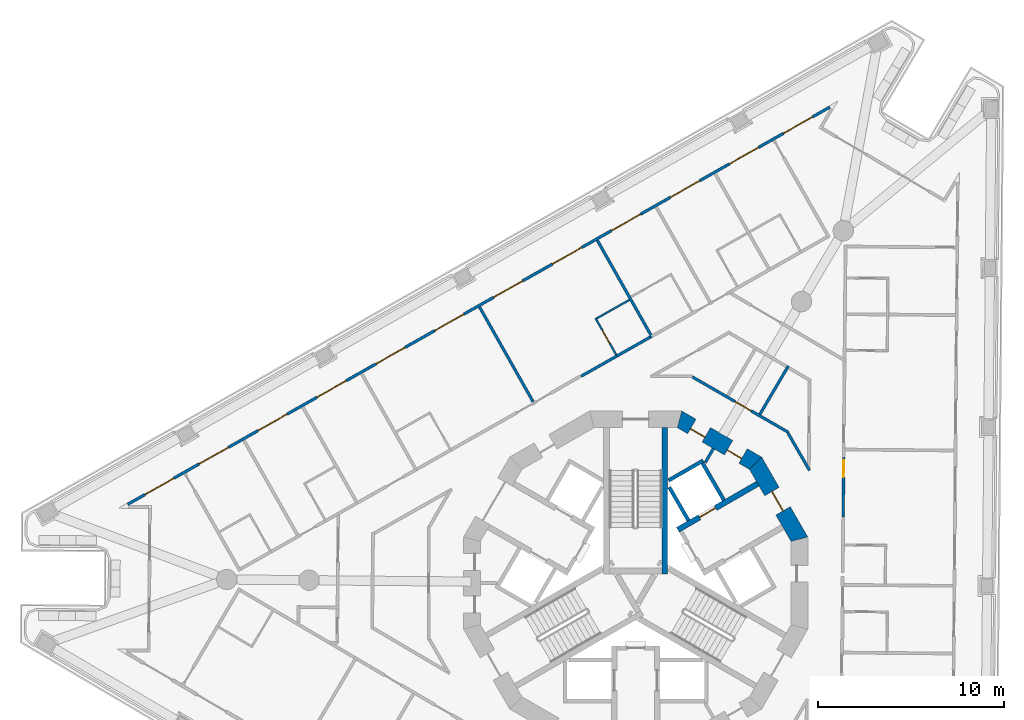
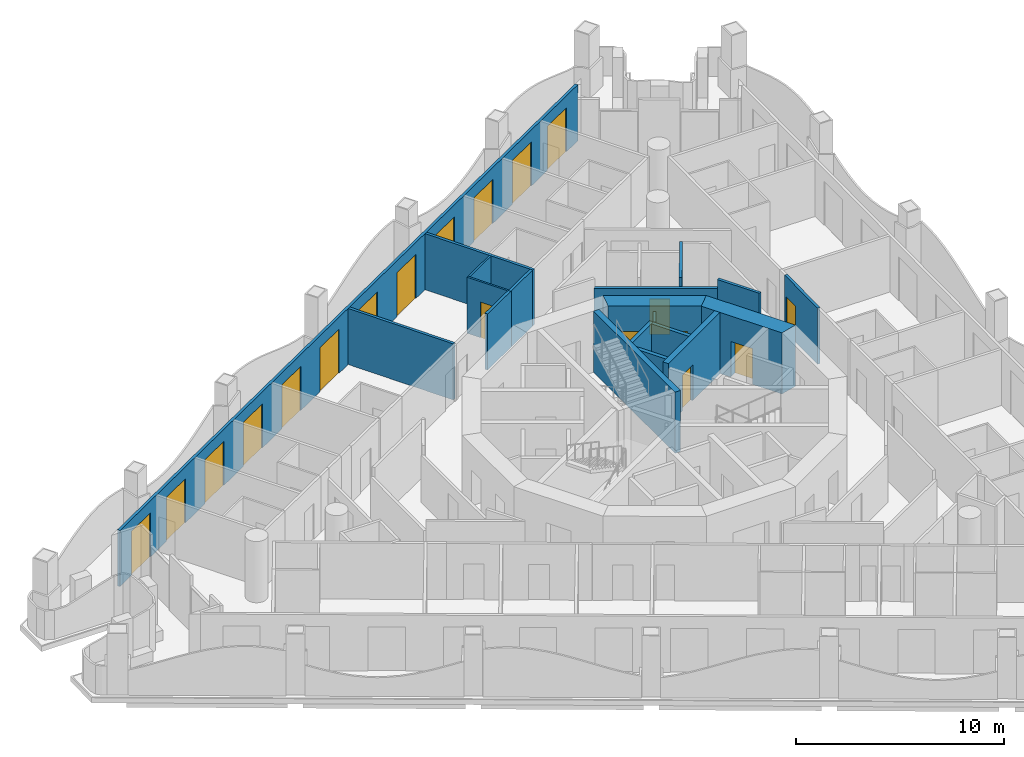
# One storey, part 8 of 17: 19 doors, 19 walls, 19 openings.
"""IFC4 building model written with IfcOpenShell, lengths in metres."""

from ifc_helpers import new_model, si_unit, direction, frame, frame_2d, origin, place, context, subcontext, project, spatial, polyline, rectangle, outline, extrude, material, layer, layer_set, type_object, element, fill, save


model = new_model("IFC4")

# Units and contexts
model_context = context("Model", 3, precision=1e-05, world=origin(), true_north=direction((0.0, 1.0)))
body_context = subcontext(model_context, "Body", "Model", "MODEL_VIEW")
ifc_project = project(units=[si_unit("LENGTHUNIT", "METRE"), si_unit("AREAUNIT", "SQUARE_METRE"), si_unit("VOLUMEUNIT", "CUBIC_METRE"), si_unit("PLANEANGLEUNIT", "RADIAN"), si_unit("MASSUNIT", "GRAM", prefix="KILO")], contexts=[model_context])

# Site, building, storey
site_placement = place(None, origin())
site = spatial("IfcSite", under=ifc_project, at=site_placement, CompositionType="ELEMENT")
building_placement = place(site_placement, origin())
building = spatial("IfcBuilding", under=site, at=building_placement, Name="Trine Commons Tower", CompositionType="ELEMENT")
storey_placement = place(building_placement, frame((0.0, 0.0, 186.300048828125)))
storey = spatial("IfcBuildingStorey", under=building, at=storey_placement, Name="L48", CompositionType="ELEMENT", Elevation=186.300048828125)

# Wall
ifc_material_1 = material(Name="Plasterboard partition on steel studs", Category="steel")
ifc_layer_1 = layer(ifc_material_1, 0.14990234375)
ifc_layer_set_1 = layer_set([ifc_layer_1], Name="Plasterboard partition on steel studs")
wall_type_1 = type_object("IfcWallType", Name="Core room partition 150 mm, EI 60", PredefinedType="PARTITIONING", material=ifc_layer_set_1)
wall_1_placement = place(storey_placement, frame((84.18603515625, 69.7509765625, 0.0), z_axis=(0.0, 0.0, 1.0), x_axis=(-0.499890179513, -0.866088799389, 0.0)))
element("IfcWall", 1, at=wall_1_placement, inside=storey, type_object=wall_type_1, Name="Core room partition L48", PredefinedType="PARTITIONING", context=body_context, shape_type="SweptSolid", body=[
    extrude(rectangle(XDim=0.882080078125, YDim=0.14990234375, at=frame_2d((0.44091796875, 0.0))), origin(), (0.0, 0.0, 1.0), 3.300048828125),
])

# Wall, openings, doors
ifc_material_2 = material(Name="Aluminium-framed insulated wall panel", Category="aluminium")
ifc_layer_2 = layer(ifc_material_2, 0.14990234375)
ifc_layer_set_2 = layer_set([ifc_layer_2], Name="Aluminium-framed insulated wall panel")
wall_type_2 = type_object("IfcWallType", Name="Glazed frame wall 150, EI 60", PredefinedType="SOLIDWALL", material=ifc_layer_set_2)
wall_2_placement = place(storey_placement, frame((52.497802734375, 66.67041015625, 0.0), z_axis=(0.0, 0.0, 1.0), x_axis=(0.870354973249, 0.492424837453, 0.0)))
wall_2 = element("IfcWall", 2, at=wall_2_placement, inside=storey, type_object=wall_type_2, Name="Glazed frame wall F1", PredefinedType="SOLIDWALL", context=body_context, shape_type="SweptSolid", body=[
    extrude(outline(polyline([(0.1494140625, 0.074951171875), (0.1494140625, -0.074951171875), (43.616943359375, -0.074951171875), (43.616943359375, 0.074951171875), (0.1494140625, 0.074951171875)])), origin(), (0.0, 0.0, 1.0), 3.300048828125),
])
opening_1_placement = place(wall_2_placement, frame((1.2236328125, 0.0, 0.0)))
opening_1 = element("IfcOpeningElement", 3, at=opening_1_placement, cuts=wall_2, Name="Opening BD-5F1-01", PredefinedType="OPENING", context=body_context, shape_type="SweptSolid", body=[
    extrude(rectangle(XDim=1.800048828125, YDim=2.60009765625, at=frame_2d((0.89990234375, 1.300048828125))), frame((0.0, 0.0849609375, 0.0), z_axis=(0.0, -1.0, 0.0), x_axis=(1.0, 0.0, 0.0)), (0.0, 0.0, 1.0), 0.169921875),
])
opening_2_placement = place(wall_2_placement, frame((4.57080078125, 0.0, 0.0)))
opening_2 = element("IfcOpeningElement", 4, at=opening_2_placement, cuts=wall_2, Name="Opening BD-5F1-02", PredefinedType="OPENING", context=body_context, shape_type="SweptSolid", body=[
    extrude(rectangle(XDim=1.800048828125, YDim=2.60009765625, at=frame_2d((0.89990234375, 1.300048828125))), frame((0.0, 0.0849609375, 0.0), z_axis=(0.0, -1.0, 0.0), x_axis=(1.0, 0.0, 0.0)), (0.0, 0.0, 1.0), 0.169921875),
])
opening_3_placement = place(wall_2_placement, frame((8.218017578125, 0.0, 0.0)))
opening_3 = element("IfcOpeningElement", 5, at=opening_3_placement, cuts=wall_2, Name="Opening BD-5F1-03", PredefinedType="OPENING", context=body_context, shape_type="SweptSolid", body=[
    extrude(rectangle(XDim=1.800048828125, YDim=2.60009765625, at=frame_2d((0.89990234375, 1.300048828125))), frame((0.0, 0.0849609375, 0.0), z_axis=(0.0, -1.0, 0.0), x_axis=(1.0, 0.0, 0.0)), (0.0, 0.0, 1.0), 0.169921875),
])
opening_4_placement = place(wall_2_placement, frame((11.865234375, 0.0, 0.0)))
opening_4 = element("IfcOpeningElement", 6, at=opening_4_placement, cuts=wall_2, Name="Opening BD-5F1-04", PredefinedType="OPENING", context=body_context, shape_type="SweptSolid", body=[
    extrude(rectangle(XDim=1.800048828125, YDim=2.60009765625, at=frame_2d((0.89990234375, 1.300048828125))), frame((0.0, 0.0849609375, 0.0), z_axis=(0.0, -1.0, 0.0), x_axis=(1.0, 0.0, 0.0)), (0.0, 0.0, 1.0), 0.169921875),
])
opening_5_placement = place(wall_2_placement, frame((15.512451171875, 0.0, 0.0)))
opening_5 = element("IfcOpeningElement", 7, at=opening_5_placement, cuts=wall_2, Name="Opening BD-5F1-05", PredefinedType="OPENING", context=body_context, shape_type="SweptSolid", body=[
    extrude(rectangle(XDim=1.800048828125, YDim=2.60009765625, at=frame_2d((0.89990234375, 1.300048828125))), frame((0.0, 0.0849609375, 0.0), z_axis=(0.0, -1.0, 0.0), x_axis=(1.0, 0.0, 0.0)), (0.0, 0.0, 1.0), 0.169921875),
])
opening_6_placement = place(wall_2_placement, frame((19.15966796875, 0.0, 0.0)))
opening_6 = element("IfcOpeningElement", 8, at=opening_6_placement, cuts=wall_2, Name="Opening BD-5F1-06", PredefinedType="OPENING", context=body_context, shape_type="SweptSolid", body=[
    extrude(rectangle(XDim=1.800048828125, YDim=2.60009765625, at=frame_2d((0.89990234375, 1.300048828125))), frame((0.0, 0.0849609375, 0.0), z_axis=(0.0, -1.0, 0.0), x_axis=(1.0, 0.0, 0.0)), (0.0, 0.0, 1.0), 0.169921875),
])
opening_7_placement = place(wall_2_placement, frame((22.806884765625, 0.0, 0.0)))
opening_7 = element("IfcOpeningElement", 9, at=opening_7_placement, cuts=wall_2, Name="Opening BD-5F1-07", PredefinedType="OPENING", context=body_context, shape_type="SweptSolid", body=[
    extrude(rectangle(XDim=1.800048828125, YDim=2.60009765625, at=frame_2d((0.89990234375, 1.300048828125))), frame((0.0, 0.0849609375, 0.0), z_axis=(0.0, -1.0, 0.0), x_axis=(1.0, 0.0, 0.0)), (0.0, 0.0, 1.0), 0.169921875),
])
opening_8_placement = place(wall_2_placement, frame((26.4541015625, 0.0, 0.0)))
opening_8 = element("IfcOpeningElement", 10, at=opening_8_placement, cuts=wall_2, Name="Opening BD-5F1-08", PredefinedType="OPENING", context=body_context, shape_type="SweptSolid", body=[
    extrude(rectangle(XDim=1.800048828125, YDim=2.60009765625, at=frame_2d((0.89990234375, 1.300048828125))), frame((0.0, 0.0849609375, 0.0), z_axis=(0.0, -1.0, 0.0), x_axis=(1.0, 0.0, 0.0)), (0.0, 0.0, 1.0), 0.169921875),
])
opening_9_placement = place(wall_2_placement, frame((30.101318359375, 0.0, 0.0)))
opening_9 = element("IfcOpeningElement", 11, at=opening_9_placement, cuts=wall_2, Name="Opening BD-5F1-09", PredefinedType="OPENING", context=body_context, shape_type="SweptSolid", body=[
    extrude(rectangle(XDim=1.800048828125, YDim=2.60009765625, at=frame_2d((0.89990234375, 1.300048828125))), frame((0.0, 0.0849609375, 0.0), z_axis=(0.0, -1.0, 0.0), x_axis=(1.0, 0.0, 0.0)), (0.0, 0.0, 1.0), 0.169921875),
])
opening_10_placement = place(wall_2_placement, frame((33.748291015625, 0.0, 0.0)))
opening_10 = element("IfcOpeningElement", 12, at=opening_10_placement, cuts=wall_2, Name="Opening BD-5F1-10", PredefinedType="OPENING", context=body_context, shape_type="SweptSolid", body=[
    extrude(rectangle(XDim=1.800048828125, YDim=2.60009765625, at=frame_2d((0.89990234375, 1.300048828125))), frame((0.0, 0.0849609375, 0.0), z_axis=(0.0, -1.0, 0.0), x_axis=(1.0, 0.0, 0.0)), (0.0, 0.0, 1.0), 0.169921875),
])
opening_11_placement = place(wall_2_placement, frame((37.3955078125, 0.0, 0.0)))
opening_11 = element("IfcOpeningElement", 13, at=opening_11_placement, cuts=wall_2, Name="Opening BD-5F1-11", PredefinedType="OPENING", context=body_context, shape_type="SweptSolid", body=[
    extrude(rectangle(XDim=1.800048828125, YDim=2.60009765625, at=frame_2d((0.89990234375, 1.300048828125))), frame((0.0, 0.0849609375, 0.0), z_axis=(0.0, -1.0, 0.0), x_axis=(1.0, 0.0, 0.0)), (0.0, 0.0, 1.0), 0.169921875),
])
opening_12_placement = place(wall_2_placement, frame((40.742919921875, 0.0, 0.0)))
opening_12 = element("IfcOpeningElement", 14, at=opening_12_placement, cuts=wall_2, Name="Opening BD-5F1-12", PredefinedType="OPENING", context=body_context, shape_type="SweptSolid", body=[
    extrude(rectangle(XDim=1.800048828125, YDim=2.60009765625, at=frame_2d((0.89990234375, 1.300048828125))), frame((0.0, 0.0849609375, 0.0), z_axis=(0.0, -1.0, 0.0), x_axis=(1.0, 0.0, 0.0)), (0.0, 0.0, 1.0), 0.169921875),
])
ifc_material_3 = material(Name="Anodised aluminium frame with double glazing", Category="aluminium")
door_type_1 = type_object("IfcDoorType", Name="Sliding loggia door 1800x2600", OperationType="SLIDING_TO_LEFT", PredefinedType="DOOR", material=ifc_material_3)
door_1_placement = place(opening_1_placement, origin())
door_1 = element("IfcDoor", 15, at=door_1_placement, inside=storey, type_object=door_type_1, Name="Loggia door F1 1", OperationType="SLIDING_TO_LEFT", OverallHeight=2.60009765625, OverallWidth=1.800048828125, PredefinedType="DOOR", context=body_context, shape_type="SweptSolid", body=[
    extrude(rectangle(XDim=1.800048828125, YDim=2.60009765625, at=frame_2d((0.89990234375, 1.300048828125))), frame((0.0, 0.02490234375, 0.0), z_axis=(0.0, -1.0, 0.0), x_axis=(1.0, 0.0, 0.0)), (0.0, 0.0, 1.0), 0.050048828125),
])
fill(opening_1, door_1)
door_2_placement = place(opening_2_placement, origin())
door_2 = element("IfcDoor", 16, at=door_2_placement, inside=storey, type_object=door_type_1, Name="Loggia door F1 2", OperationType="SLIDING_TO_LEFT", OverallHeight=2.60009765625, OverallWidth=1.800048828125, PredefinedType="DOOR", context=body_context, shape_type="SweptSolid", body=[
    extrude(rectangle(XDim=1.800048828125, YDim=2.60009765625, at=frame_2d((0.89990234375, 1.300048828125))), frame((0.0, 0.02490234375, 0.0), z_axis=(0.0, -1.0, 0.0), x_axis=(1.0, 0.0, 0.0)), (0.0, 0.0, 1.0), 0.050048828125),
])
fill(opening_2, door_2)
door_3_placement = place(opening_3_placement, origin())
door_3 = element("IfcDoor", 17, at=door_3_placement, inside=storey, type_object=door_type_1, Name="Loggia door F1 3", OperationType="SLIDING_TO_LEFT", OverallHeight=2.60009765625, OverallWidth=1.800048828125, PredefinedType="DOOR", context=body_context, shape_type="SweptSolid", body=[
    extrude(rectangle(XDim=1.800048828125, YDim=2.60009765625, at=frame_2d((0.89990234375, 1.300048828125))), frame((0.0, 0.02490234375, 0.0), z_axis=(0.0, -1.0, 0.0), x_axis=(1.0, 0.0, 0.0)), (0.0, 0.0, 1.0), 0.050048828125),
])
fill(opening_3, door_3)
door_4_placement = place(opening_4_placement, origin())
door_4 = element("IfcDoor", 18, at=door_4_placement, inside=storey, type_object=door_type_1, Name="Loggia door F1 4", OperationType="SLIDING_TO_LEFT", OverallHeight=2.60009765625, OverallWidth=1.800048828125, PredefinedType="DOOR", context=body_context, shape_type="SweptSolid", body=[
    extrude(rectangle(XDim=1.800048828125, YDim=2.60009765625, at=frame_2d((0.89990234375, 1.300048828125))), frame((0.0, 0.02490234375, 0.0), z_axis=(0.0, -1.0, 0.0), x_axis=(1.0, 0.0, 0.0)), (0.0, 0.0, 1.0), 0.050048828125),
])
fill(opening_4, door_4)
door_5_placement = place(opening_5_placement, origin())
door_5 = element("IfcDoor", 19, at=door_5_placement, inside=storey, type_object=door_type_1, Name="Loggia door F1 5", OperationType="SLIDING_TO_LEFT", OverallHeight=2.60009765625, OverallWidth=1.800048828125, PredefinedType="DOOR", context=body_context, shape_type="SweptSolid", body=[
    extrude(rectangle(XDim=1.800048828125, YDim=2.60009765625, at=frame_2d((0.89990234375, 1.300048828125))), frame((0.0, 0.02490234375, 0.0), z_axis=(0.0, -1.0, 0.0), x_axis=(1.0, 0.0, 0.0)), (0.0, 0.0, 1.0), 0.050048828125),
])
fill(opening_5, door_5)
door_6_placement = place(opening_6_placement, origin())
door_6 = element("IfcDoor", 20, at=door_6_placement, inside=storey, type_object=door_type_1, Name="Loggia door F1 6", OperationType="SLIDING_TO_LEFT", OverallHeight=2.60009765625, OverallWidth=1.800048828125, PredefinedType="DOOR", context=body_context, shape_type="SweptSolid", body=[
    extrude(rectangle(XDim=1.800048828125, YDim=2.60009765625, at=frame_2d((0.89990234375, 1.300048828125))), frame((0.0, 0.02490234375, 0.0), z_axis=(0.0, -1.0, 0.0), x_axis=(1.0, 0.0, 0.0)), (0.0, 0.0, 1.0), 0.050048828125),
])
fill(opening_6, door_6)
door_7_placement = place(opening_7_placement, origin())
door_7 = element("IfcDoor", 21, at=door_7_placement, inside=storey, type_object=door_type_1, Name="Loggia door F1 7", OperationType="SLIDING_TO_LEFT", OverallHeight=2.60009765625, OverallWidth=1.800048828125, PredefinedType="DOOR", context=body_context, shape_type="SweptSolid", body=[
    extrude(rectangle(XDim=1.800048828125, YDim=2.60009765625, at=frame_2d((0.89990234375, 1.300048828125))), frame((0.0, 0.02490234375, 0.0), z_axis=(0.0, -1.0, 0.0), x_axis=(1.0, 0.0, 0.0)), (0.0, 0.0, 1.0), 0.050048828125),
])
fill(opening_7, door_7)
door_8_placement = place(opening_8_placement, origin())
door_8 = element("IfcDoor", 22, at=door_8_placement, inside=storey, type_object=door_type_1, Name="Loggia door F1 8", OperationType="SLIDING_TO_LEFT", OverallHeight=2.60009765625, OverallWidth=1.800048828125, PredefinedType="DOOR", context=body_context, shape_type="SweptSolid", body=[
    extrude(rectangle(XDim=1.800048828125, YDim=2.60009765625, at=frame_2d((0.89990234375, 1.300048828125))), frame((0.0, 0.02490234375, 0.0), z_axis=(0.0, -1.0, 0.0), x_axis=(1.0, 0.0, 0.0)), (0.0, 0.0, 1.0), 0.050048828125),
])
fill(opening_8, door_8)
door_9_placement = place(opening_9_placement, origin())
door_9 = element("IfcDoor", 23, at=door_9_placement, inside=storey, type_object=door_type_1, Name="Loggia door F1 9", OperationType="SLIDING_TO_LEFT", OverallHeight=2.60009765625, OverallWidth=1.800048828125, PredefinedType="DOOR", context=body_context, shape_type="SweptSolid", body=[
    extrude(rectangle(XDim=1.800048828125, YDim=2.60009765625, at=frame_2d((0.89990234375, 1.300048828125))), frame((0.0, 0.02490234375, 0.0), z_axis=(0.0, -1.0, 0.0), x_axis=(1.0, 0.0, 0.0)), (0.0, 0.0, 1.0), 0.050048828125),
])
fill(opening_9, door_9)
door_10_placement = place(opening_10_placement, origin())
door_10 = element("IfcDoor", 24, at=door_10_placement, inside=storey, type_object=door_type_1, Name="Loggia door F1 10", OperationType="SLIDING_TO_LEFT", OverallHeight=2.60009765625, OverallWidth=1.800048828125, PredefinedType="DOOR", context=body_context, shape_type="SweptSolid", body=[
    extrude(rectangle(XDim=1.800048828125, YDim=2.60009765625, at=frame_2d((0.89990234375, 1.300048828125))), frame((0.0, 0.02490234375, 0.0), z_axis=(0.0, -1.0, 0.0), x_axis=(1.0, 0.0, 0.0)), (0.0, 0.0, 1.0), 0.050048828125),
])
fill(opening_10, door_10)
door_11_placement = place(opening_11_placement, origin())
door_11 = element("IfcDoor", 25, at=door_11_placement, inside=storey, type_object=door_type_1, Name="Loggia door F1 11", OperationType="SLIDING_TO_LEFT", OverallHeight=2.60009765625, OverallWidth=1.800048828125, PredefinedType="DOOR", context=body_context, shape_type="SweptSolid", body=[
    extrude(rectangle(XDim=1.800048828125, YDim=2.60009765625, at=frame_2d((0.89990234375, 1.300048828125))), frame((0.0, 0.02490234375, 0.0), z_axis=(0.0, -1.0, 0.0), x_axis=(1.0, 0.0, 0.0)), (0.0, 0.0, 1.0), 0.050048828125),
])
fill(opening_11, door_11)
door_12_placement = place(opening_12_placement, origin())
door_12 = element("IfcDoor", 26, at=door_12_placement, inside=storey, type_object=door_type_1, Name="Loggia door F1 12", OperationType="SLIDING_TO_LEFT", OverallHeight=2.60009765625, OverallWidth=1.800048828125, PredefinedType="DOOR", context=body_context, shape_type="SweptSolid", body=[
    extrude(rectangle(XDim=1.800048828125, YDim=2.60009765625, at=frame_2d((0.89990234375, 1.300048828125))), frame((0.0, 0.02490234375, 0.0), z_axis=(0.0, -1.0, 0.0), x_axis=(1.0, 0.0, 0.0)), (0.0, 0.0, 1.0), 0.050048828125),
])
fill(opening_12, door_12)

# Wall, opening, door
ifc_material_4 = material(Name="Concrete C60/75", Category="concrete")
ifc_layer_3 = layer(ifc_material_4, 0.300048828125)
ifc_layer_set_3 = layer_set([ifc_layer_3], Name="Concrete C60/75")
wall_type_3 = type_object("IfcWallType", Name="RC shear wall 300 mm, C60/75", PredefinedType="SHEAR", material=ifc_layer_set_3)
wall_3_placement = place(storey_placement, frame((82.26904296875, 65.368896484375, 0.0), z_axis=(0.0, 0.0, 1.0), x_axis=(0.865983655544, 0.500072303102, 0.0)))
wall_3 = element("IfcWall", 27, at=wall_3_placement, inside=storey, type_object=wall_type_3, Name="Core cross wall SWB-05 L48", PredefinedType="SHEAR", context=body_context, shape_type="SweptSolid", body=[
    extrude(rectangle(XDim=4.973388671875, YDim=0.300048828125, at=frame_2d((2.48681640625, 0.0))), origin(), (0.0, 0.0, 1.0), 3.599853515625),
])
opening_13_placement = place(wall_3_placement, frame((1.3505859375, 0.0, 0.0)))
opening_13 = element("IfcOpeningElement", 28, at=opening_13_placement, cuts=wall_3, Name="Opening LD5", PredefinedType="OPENING", context=body_context, shape_type="SweptSolid", body=[
    extrude(rectangle(XDim=1.0, YDim=2.10009765625, at=frame_2d((0.5, 1.050048828125))), frame((0.0, 0.159912109375, 0.0), z_axis=(0.0, -1.0, 0.0), x_axis=(1.0, 0.0, 0.0)), (0.0, 0.0, 1.0), 0.320068359375),
])
ifc_material_5 = material(Name="Stainless steel sliding door leaves", Category="steel")
door_type_2 = type_object("IfcDoorType", Name="Lift landing door, centre-opening sliding 1000 x 2100, FD90", OperationType="DOUBLE_DOOR_SLIDING", PredefinedType="DOOR", material=ifc_material_5)
door_13_placement = place(opening_13_placement, origin())
door_13 = element("IfcDoor", 29, at=door_13_placement, inside=storey, type_object=door_type_2, Name="Lift landing door HR1 L48", OperationType="DOUBLE_DOOR_SLIDING", OverallHeight=2.10009765625, OverallWidth=1.0, PredefinedType="DOOR", context=body_context, shape_type="SweptSolid", body=[
    extrude(rectangle(XDim=1.0, YDim=2.10009765625, at=frame_2d((0.5, 1.050048828125))), frame((0.0, 0.02490234375, 0.0), z_axis=(0.0, -1.0, 0.0), x_axis=(1.0, 0.0, 0.0)), (0.0, 0.0, 1.0), 0.050048828125),
])
fill(opening_13, door_13)

# Wall
wall_4_placement = place(storey_placement, frame((81.574951171875, 63.0009765625, 0.0), z_axis=(0.0, 0.0, 1.0), x_axis=(0.0, 1.0, 0.0)))
element("IfcWall", 30, at=wall_4_placement, inside=storey, type_object=wall_type_3, Name="Core cross wall SWB-17 L48", PredefinedType="SHEAR", context=body_context, shape_type="SweptSolid", body=[
    extrude(rectangle(XDim=7.8720703125, YDim=0.300048828125, at=frame_2d((3.93603515625, 0.0))), origin(), (0.0, 0.0, 1.0), 3.599853515625),
])

# Wall, opening, door
ifc_layer_4 = layer(ifc_material_4, 0.89990234375)
ifc_layer_set_4 = layer_set([ifc_layer_4], Name="Concrete C60/75")
wall_type_4 = type_object("IfcWallType", Name="RC shear wall 900 mm, C60/75", PredefinedType="SHEAR", material=ifc_layer_set_4)
wall_5_placement = place(storey_placement, frame((88.88330078125, 64.759765625, 0.0), z_axis=(0.0, 0.0, 1.0), x_axis=(-0.500038571144, 0.866003133579, 0.0)))
wall_5 = element("IfcWall", 31, at=wall_5_placement, inside=storey, type_object=wall_type_4, Name="Core wall CWE-02 L48", PredefinedType="SHEAR", context=body_context, shape_type="SweptSolid", body=[
    extrude(outline(polyline([(0.0, -0.449951171875), (4.96923828125, -0.449951171875), (4.72802734375, 0.449951171875), (0.2412109375, 0.449951171875), (0.0, -0.449951171875)])), origin(), (0.0, 0.0, 1.0), 3.599853515625),
])
opening_14_placement = place(wall_5_placement, frame((1.884521484375, 0.0, 0.0)))
opening_14 = element("IfcOpeningElement", 32, at=opening_14_placement, cuts=wall_5, Name="Opening K11.04", PredefinedType="OPENING", context=body_context, shape_type="SweptSolid", body=[
    extrude(rectangle(XDim=1.199951171875, YDim=2.10009765625, at=frame_2d((0.60009765625, 1.050048828125))), frame((0.0, 0.4599609375, 0.0), z_axis=(0.0, -1.0, 0.0), x_axis=(1.0, 0.0, 0.0)), (0.0, 0.0, 1.0), 0.919921875),
])
ifc_material_6 = material(Name="Steel door leaves, fire-rated", Category="steel")
door_type_3 = type_object("IfcDoorType", Name="Lobby door, double leaf 1200 x 2100, FD60", OperationType="DOUBLE_DOOR_SINGLE_SWING", PredefinedType="DOOR", material=ifc_material_6)
door_14_placement = place(opening_14_placement, origin())
door_14 = element("IfcDoor", 33, at=door_14_placement, inside=storey, type_object=door_type_3, Name="Lobby door, Passenger lift lobby A L48", OperationType="DOUBLE_DOOR_SINGLE_SWING", OverallHeight=2.10009765625, OverallWidth=1.199951171875, PredefinedType="DOOR", context=body_context, shape_type="SweptSolid", body=[
    extrude(rectangle(XDim=1.199951171875, YDim=2.10009765625, at=frame_2d((0.60009765625, 1.050048828125))), frame((0.0, 0.02490234375, 0.0), z_axis=(0.0, -1.0, 0.0), x_axis=(1.0, 0.0, 0.0)), (0.0, 0.0, 1.0), 0.050048828125),
])
fill(opening_14, door_14)

# Wall, openings, doors
wall_6_placement = place(storey_placement, frame((86.563232421875, 68.8984375, 0.0), z_axis=(0.0, 0.0, 1.0), x_axis=(-0.866003133579, 0.500038571144, 0.0)))
wall_6 = element("IfcWall", 34, at=wall_6_placement, inside=storey, type_object=wall_type_4, Name="Core wall CWE-03 L48", PredefinedType="SHEAR", context=body_context, shape_type="SweptSolid", body=[
    extrude(outline(polyline([(0.0, -0.449951171875), (4.96923828125, -0.449951171875), (4.72802734375, 0.449951171875), (0.2412109375, 0.449951171875), (0.0, -0.449951171875)])), origin(), (0.0, 0.0, 1.0), 3.599853515625),
])
opening_15_placement = place(wall_6_placement, frame((0.89599609375, 0.0, 0.0)))
opening_15 = element("IfcOpeningElement", 35, at=opening_15_placement, cuts=wall_6, Name="Opening K11.11", PredefinedType="OPENING", context=body_context, shape_type="SweptSolid", body=[
    extrude(rectangle(XDim=0.89990234375, YDim=2.10009765625, at=frame_2d((0.449951171875, 1.050048828125))), frame((0.0, 0.4599609375, 0.0), z_axis=(0.0, -1.0, 0.0), x_axis=(1.0, 0.0, 0.0)), (0.0, 0.0, 1.0), 0.919921875),
])
opening_16_placement = place(wall_6_placement, frame((3.18505859375, 0.0, 0.0)))
opening_16 = element("IfcOpeningElement", 36, at=opening_16_placement, cuts=wall_6, Name="Opening K11.12", PredefinedType="OPENING", context=body_context, shape_type="SweptSolid", body=[
    extrude(rectangle(XDim=0.89990234375, YDim=2.10009765625, at=frame_2d((0.449951171875, 1.050048828125))), frame((0.0, 0.4599609375, 0.0), z_axis=(0.0, -1.0, 0.0), x_axis=(1.0, 0.0, 0.0)), (0.0, 0.0, 1.0), 0.919921875),
])
ifc_material_7 = material(Name="Steel door leaf, fire-rated", Category="steel")
door_type_4 = type_object("IfcDoorType", Name="Core room door, single leaf 900 x 2100, FD30S", OperationType="SINGLE_SWING_LEFT", PredefinedType="DOOR", material=ifc_material_7)
door_15_placement = place(opening_15_placement, origin())
door_15 = element("IfcDoor", 37, at=door_15_placement, inside=storey, type_object=door_type_4, Name="Door to Pantry L48", OperationType="SINGLE_SWING_LEFT", OverallHeight=2.10009765625, OverallWidth=0.89990234375, PredefinedType="DOOR", context=body_context, shape_type="SweptSolid", body=[
    extrude(rectangle(XDim=0.89990234375, YDim=2.10009765625, at=frame_2d((0.449951171875, 1.050048828125))), frame((0.0, 0.1748046875, 0.0), z_axis=(0.0, -1.0, 0.0), x_axis=(1.0, 0.0, 0.0)), (0.0, 0.0, 1.0), 0.050048828125),
])
fill(opening_15, door_15)
door_16_placement = place(opening_16_placement, origin())
door_16 = element("IfcDoor", 38, at=door_16_placement, inside=storey, type_object=door_type_4, Name="Door to Comms room L48", OperationType="SINGLE_SWING_RIGHT", OverallHeight=2.10009765625, OverallWidth=0.89990234375, PredefinedType="DOOR", context=body_context, shape_type="SweptSolid", body=[
    extrude(rectangle(XDim=0.89990234375, YDim=2.10009765625, at=frame_2d((0.449951171875, 1.050048828125))), frame((0.0, 0.1748046875, 0.0), z_axis=(0.0, -1.0, 0.0), x_axis=(1.0, 0.0, 0.0)), (0.0, 0.0, 1.0), 0.050048828125),
])
fill(opening_16, door_16)

# Walls
ifc_material_8 = material(Name="Fire-rated gypsum shaft wall system")
ifc_layer_5 = layer(ifc_material_8, 0.199951171875)
ifc_layer_set_5 = layer_set([ifc_layer_5], Name="Fire-rated gypsum shaft wall system")
wall_type_5 = type_object("IfcWallType", Name="Shaft wall 200 mm, EI 120", PredefinedType="PARTITIONING", material=ifc_layer_set_5)
wall_7_placement = place(storey_placement, frame((81.77490234375, 68.028076171875, 0.0), z_axis=(0.0, 0.0, 1.0), x_axis=(0.866130725101, 0.499817533742, 0.0)))
element("IfcWall", 39, at=wall_7_placement, inside=storey, type_object=wall_type_5, Name="Shaft wall L48", PredefinedType="PARTITIONING", context=body_context, shape_type="SweptSolid", body=[
    extrude(rectangle(XDim=2.148681640625, YDim=0.199951171875, at=frame_2d((1.07421875, 0.0))), origin(), (0.0, 0.0, 1.0), 3.300048828125),
])
wall_8_placement = place(storey_placement, frame((82.843994140625, 65.8740234375, 0.0), z_axis=(0.0, 0.0, 1.0), x_axis=(-0.499865770674, 0.866102887253, 0.0)))
element("IfcWall", 40, at=wall_8_placement, inside=storey, type_object=wall_type_5, Name="Shaft wall L48", PredefinedType="PARTITIONING", context=body_context, shape_type="SweptSolid", body=[
    extrude(rectangle(XDim=2.064453125, YDim=0.199951171875, at=frame_2d((1.0322265625, 0.0))), origin(), (0.0, 0.0, 1.0), 3.300048828125),
])
wall_9_placement = place(storey_placement, frame((84.7490234375, 66.97412109375, 0.0), z_axis=(0.0, 0.0, 1.0), x_axis=(-0.500136062276, 0.86594683394, 0.0)))
element("IfcWall", 41, at=wall_9_placement, inside=storey, type_object=wall_type_5, Name="Shaft wall L48", PredefinedType="PARTITIONING", context=body_context, shape_type="SweptSolid", body=[
    extrude(rectangle(XDim=2.299072265625, YDim=0.199951171875, at=frame_2d((1.1494140625, 0.0))), origin(), (0.0, 0.0, 1.0), 3.300048828125),
])
ifc_material_9 = material(Name="Gypsum plasterboard on steel stud", Category="steel")
ifc_layer_6 = layer(ifc_material_9, 0.14990234375)
ifc_layer_set_6 = layer_set([ifc_layer_6], Name="Gypsum plasterboard on steel stud")
wall_type_6 = type_object("IfcWallType", Name="Unit and corridor wall 150 mm, EI 60", PredefinedType="PARTITIONING", material=ifc_layer_set_6)
wall_10_placement = place(storey_placement, frame((71.580810546875, 77.381103515625, 0.0), z_axis=(0.0, 0.0, 1.0), x_axis=(0.4923790567, -0.870380873252, 0.0)))
element("IfcWall", 42, at=wall_10_placement, inside=storey, type_object=wall_type_6, Name="Partition 041", PredefinedType="PARTITIONING", context=body_context, shape_type="SweptSolid", body=[
    extrude(rectangle(XDim=5.874267578125, YDim=0.14990234375, at=frame_2d((2.93701171875, 0.0))), origin(), (0.0, 0.0, 1.0), 3.300048828125),
])
wall_11_placement = place(storey_placement, frame((77.06396484375, 73.64794921875, 0.0), z_axis=(0.0, 0.0, 1.0), x_axis=(0.870371968562, 0.492394797232, 0.0)))
element("IfcWall", 43, at=wall_11_placement, inside=storey, type_object=wall_type_6, Name="Partition 045", PredefinedType="PARTITIONING", context=body_context, shape_type="SweptSolid", body=[
    extrude(rectangle(XDim=2.263916015625, YDim=0.14990234375, at=frame_2d((1.1318359375, 0.0))), origin(), (0.0, 0.0, 1.0), 3.300048828125),
])
wall_12_placement = place(storey_placement, frame((77.9296875, 80.97314453125, 0.0), z_axis=(0.0, 0.0, 1.0), x_axis=(0.492389730591, -0.870374834889, 0.0)))
element("IfcWall", 44, at=wall_12_placement, inside=storey, type_object=wall_type_6, Name="Partition 051", PredefinedType="PARTITIONING", context=body_context, shape_type="SweptSolid", body=[
    extrude(rectangle(XDim=6.0244140625, YDim=0.14990234375, at=frame_2d((3.01220703125, 0.0))), origin(), (0.0, 0.0, 1.0), 3.300048828125),
])
wall_13_placement = place(storey_placement, frame((78.985107421875, 74.735107421875, 0.0), z_axis=(0.0, 0.0, 1.0), x_axis=(0.870357405907, 0.492420537735, 0.0)))
element("IfcWall", 45, at=wall_13_placement, inside=storey, type_object=wall_type_6, Name="Partition 052", PredefinedType="PARTITIONING", context=body_context, shape_type="SweptSolid", body=[
    extrude(rectangle(XDim=2.081298828125, YDim=0.14990234375, at=frame_2d((1.04052734375, 0.0))), origin(), (0.0, 0.0, 1.0), 3.300048828125),
])

# Wall, opening, door
wall_14_placement = place(storey_placement, frame((83.052001953125, 73.610595703125, 0.0), z_axis=(0.0, 0.0, 1.0), x_axis=(0.866039280689, -0.499975963725, 0.0)))
wall_14 = element("IfcWall", 46, at=wall_14_placement, inside=storey, type_object=wall_type_6, Name="Partition 069", PredefinedType="PARTITIONING", context=body_context, shape_type="SweptSolid", body=[
    extrude(rectangle(XDim=5.974365234375, YDim=0.14990234375, at=frame_2d((2.9873046875, 0.0))), origin(), (0.0, 0.0, 1.0), 2.75),
])
opening_17_placement = place(wall_14_placement, frame((2.6591796875, 0.0, 0.0)))
opening_17 = element("IfcOpeningElement", 47, at=opening_17_placement, cuts=wall_14, Name="Opening D-5C32", PredefinedType="OPENING", context=body_context, shape_type="SweptSolid", body=[
    extrude(rectangle(XDim=1.0, YDim=2.10009765625, at=frame_2d((0.5, 1.050048828125))), frame((0.0, 0.0849609375, 0.0), z_axis=(0.0, -1.0, 0.0), x_axis=(1.0, 0.0, 0.0)), (0.0, 0.0, 1.0), 0.169921875),
])
ifc_material_10 = material(Name="Painted timber", Category="wood")
door_type_5 = type_object("IfcDoorType", Name="Toilet door 1000 x 2100, NOT RATED", OperationType="NOTDEFINED", PredefinedType="DOOR", material=ifc_material_10)
door_17_placement = place(opening_17_placement, origin())
door_17 = element("IfcDoor", 48, at=door_17_placement, inside=storey, type_object=door_type_5, Name="Door D-5C32", OperationType="SINGLE_SWING_RIGHT", OverallHeight=2.10009765625, OverallWidth=1.0, PredefinedType="DOOR", context=body_context, shape_type="SweptSolid", body=[
    extrude(rectangle(XDim=1.0, YDim=2.10009765625, at=frame_2d((0.5, 1.050048828125))), frame((0.0, 0.02490234375, 0.0), z_axis=(0.0, -1.0, 0.0), x_axis=(1.0, 0.0, 0.0)), (0.0, 0.0, 1.0), 0.050048828125),
])
fill(opening_17, door_17)

# Walls
wall_15_placement = place(storey_placement, frame((86.692138671875, 71.595703125, 0.0), z_axis=(0.0, 0.0, 1.0), x_axis=(0.507553107521, 0.861620475062, 0.0)))
element("IfcWall", 49, at=wall_15_placement, inside=storey, type_object=wall_type_6, Name="Partition 088", PredefinedType="PARTITIONING", context=body_context, shape_type="SweptSolid", body=[
    extrude(rectangle(XDim=3.022216796875, YDim=0.14990234375, at=frame_2d((1.51123046875, 0.0))), origin(), (0.0, 0.0, 1.0), 3.300048828125),
])
wall_16_placement = place(storey_placement, frame((88.198486328125, 70.595947265625, 0.0), z_axis=(0.0, 0.0, 1.0), x_axis=(0.500005931509, -0.866021979199, 0.0)))
element("IfcWall", 50, at=wall_16_placement, inside=storey, type_object=wall_type_6, Name="Partition 095", PredefinedType="PARTITIONING", context=body_context, shape_type="SweptSolid", body=[
    extrude(rectangle(XDim=2.3359375, YDim=0.14990234375, at=frame_2d((1.16796875, 0.0))), origin(), (0.0, 0.0, 1.0), 3.300048828125),
])

# Wall, opening, door
wall_17_placement = place(storey_placement, frame((91.179931640625, 66.050048828125, 0.0), z_axis=(0.0, 0.0, 1.0), x_axis=(0.008444616718, 0.999964343589, 0.0)))
wall_17 = element("IfcWall", 51, at=wall_17_placement, inside=storey, type_object=wall_type_6, Name="Partition 119", PredefinedType="PARTITIONING", context=body_context, shape_type="SweptSolid", body=[
    extrude(rectangle(XDim=3.208984375, YDim=0.14990234375, at=frame_2d((1.6044921875, 0.0))), origin(), (0.0, 0.0, 1.0), 3.300048828125),
])
opening_18_placement = place(wall_17_placement, frame((2.1591796875, 0.0, 0.0)))
opening_18 = element("IfcOpeningElement", 52, at=opening_18_placement, cuts=wall_17, Name="Opening D-5C16", PredefinedType="OPENING", context=body_context, shape_type="SweptSolid", body=[
    extrude(rectangle(XDim=0.89990234375, YDim=2.10009765625, at=frame_2d((0.449951171875, 1.050048828125))), frame((0.0, 0.0849609375, 0.0), z_axis=(0.0, -1.0, 0.0), x_axis=(1.0, 0.0, 0.0)), (0.0, 0.0, 1.0), 0.169921875),
])
ifc_material_11 = material(Name="Timber fire door set", Category="wood")
door_type_6 = type_object("IfcDoorType", Name="Bedroom door 900 x 2100, FD30S", OperationType="NOTDEFINED", PredefinedType="DOOR", material=ifc_material_11)
door_18_placement = place(opening_18_placement, frame((0.89990234375, 0.0, 0.0), z_axis=(0.0, 0.0, 1.0), x_axis=(-1.0, 0.0, 0.0)))
door_18 = element("IfcDoor", 53, at=door_18_placement, inside=storey, type_object=door_type_6, Name="Door D-5C16", OperationType="SINGLE_SWING_LEFT", OverallHeight=2.10009765625, OverallWidth=0.89990234375, PredefinedType="DOOR", context=body_context, shape_type="SweptSolid", body=[
    extrude(rectangle(XDim=0.89990234375, YDim=2.10009765625, at=frame_2d((0.449951171875, 1.050048828125))), frame((0.0, 0.02490234375, 0.0), z_axis=(0.0, -1.0, 0.0), x_axis=(1.0, 0.0, 0.0)), (0.0, 0.0, 1.0), 0.050048828125),
])
fill(opening_18, door_18)

ifc_layer_7 = layer(ifc_material_9, 0.10009765625)
ifc_layer_set_7 = layer_set([ifc_layer_7], Name="Gypsum plasterboard on steel stud")
wall_type_7 = type_object("IfcWallType", Name="Unit partition 100 mm, no rating", PredefinedType="PARTITIONING", material=ifc_layer_set_7)
wall_18_placement = place(storey_placement, frame((77.830322265625, 76.781494140625, 0.0), z_axis=(0.0, 0.0, 1.0), x_axis=(0.492587487506, -0.870262929897, 0.0)))
wall_18 = element("IfcWall", 54, at=wall_18_placement, inside=storey, type_object=wall_type_7, Name="Partition 049", PredefinedType="PARTITIONING", context=body_context, shape_type="SweptSolid", body=[
    extrude(rectangle(XDim=2.275390625, YDim=0.10009765625, at=frame_2d((1.1376953125, 0.0))), origin(), (0.0, 0.0, 1.0), 3.300048828125),
])
opening_19_placement = place(wall_18_placement, frame((0.7626953125, 0.0, 0.0)))
opening_19 = element("IfcOpeningElement", 55, at=opening_19_placement, cuts=wall_18, Name="Opening D-5C36", PredefinedType="OPENING", context=body_context, shape_type="SweptSolid", body=[
    extrude(rectangle(XDim=0.800048828125, YDim=2.10009765625, at=frame_2d((0.39990234375, 1.050048828125))), frame((0.0, 0.06005859375, 0.0), z_axis=(0.0, -1.0, 0.0), x_axis=(1.0, 0.0, 0.0)), (0.0, 0.0, 1.0), 0.1201171875),
])
door_type_7 = type_object("IfcDoorType", Name="Internal door 800 x 2100, NOT RATED", OperationType="NOTDEFINED", PredefinedType="DOOR", material=ifc_material_10)
door_19_placement = place(opening_19_placement, frame((0.800048828125, 0.0, 0.0), z_axis=(0.0, 0.0, 1.0), x_axis=(-1.0, 0.0, 0.0)))
door_19 = element("IfcDoor", 56, at=door_19_placement, inside=storey, type_object=door_type_7, Name="Door D-5C36", OperationType="SINGLE_SWING_LEFT", OverallHeight=2.10009765625, OverallWidth=0.800048828125, PredefinedType="DOOR", context=body_context, shape_type="SweptSolid", body=[
    extrude(rectangle(XDim=0.800048828125, YDim=2.10009765625, at=frame_2d((0.39990234375, 1.050048828125))), frame((0.0, 0.02490234375, 0.0), z_axis=(0.0, -1.0, 0.0), x_axis=(1.0, 0.0, 0.0)), (0.0, 0.0, 1.0), 0.050048828125),
])
fill(opening_19, door_19)

# Wall
wall_19_placement = place(storey_placement, frame((77.8984375, 76.7626953125, 0.0), z_axis=(0.0, 0.0, 1.0), x_axis=(0.870407913088, 0.492331255187, 0.0)))
element("IfcWall", 57, at=wall_19_placement, inside=storey, type_object=wall_type_7, Name="Partition 050", PredefinedType="PARTITIONING", context=body_context, shape_type="SweptSolid", body=[
    extrude(rectangle(XDim=2.025634765625, YDim=0.10009765625, at=frame_2d((1.0126953125, 0.0))), origin(), (0.0, 0.0, 1.0), 3.300048828125),
])

save(model, "model.ifc")
